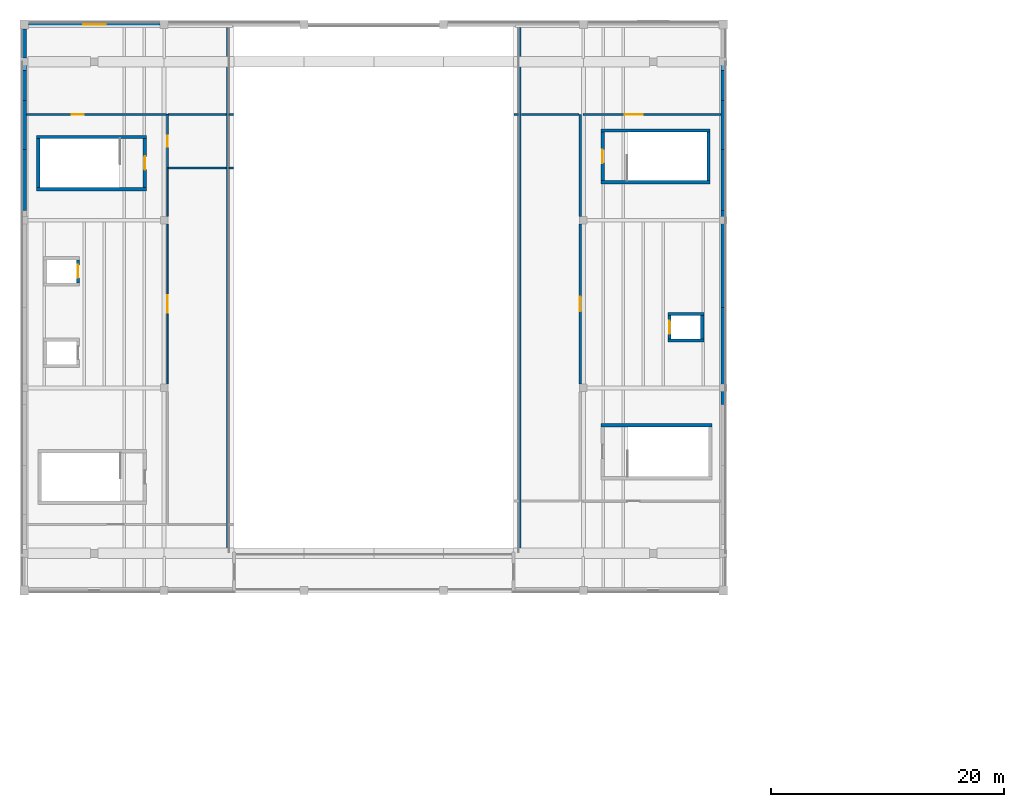
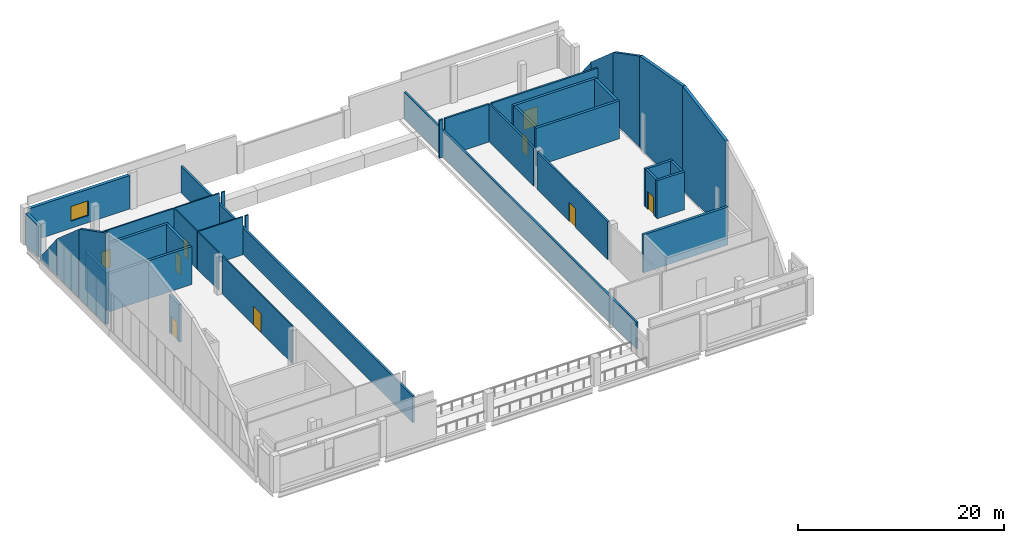
# One storey, part 4 of 7: 39 walls, 9 doors, 1 window, 10 openings.
"""IFC4 building model written with IfcOpenShell, lengths in metres."""

from ifc_helpers import new_model, si_unit, direction, frame, frame_2d, origin, place, context, subcontext, project, spatial, polyline, rectangle, outline, extrude, material, layer, layer_set, type_object, element, fill, save


model = new_model("IFC4")

# Units and contexts
model_context = context("Model", 3, precision=1e-05, world=origin(), true_north=direction((0.0, 1.0)))
body_context = subcontext(model_context, "Body", "Model", "MODEL_VIEW")
ifc_project = project(units=[si_unit("LENGTHUNIT", "METRE"), si_unit("AREAUNIT", "SQUARE_METRE"), si_unit("VOLUMEUNIT", "CUBIC_METRE"), si_unit("PLANEANGLEUNIT", "RADIAN"), si_unit("MASSUNIT", "GRAM", prefix="KILO")], contexts=[model_context])

# Site, building, storey
site_placement = place(None, origin())
site = spatial("IfcSite", under=ifc_project, at=site_placement, CompositionType="ELEMENT")
building_placement = place(site_placement, origin())
building = spatial("IfcBuilding", under=site, at=building_placement, Name="Kelmvaro Bay Concert Hall", CompositionType="ELEMENT")
storey_placement = place(building_placement, frame((0.0, 0.0, 22.199951171875)))
storey = spatial("IfcBuildingStorey", under=building, at=storey_placement, Name="L05", CompositionType="ELEMENT", Elevation=22.199951171875)

# Wall, opening, door
ifc_material_1 = material(Name="Acoustic Gypsum Board on Galvanised Steel Studs", Category="steel")
ifc_layer_1 = layer(ifc_material_1, 0.1298828125)
ifc_layer_set_1 = layer_set([ifc_layer_1], Name="Acoustic Gypsum Board on Galvanised Steel Studs")
wall_type_1 = type_object("IfcWallType", Name="Classroom Acoustic Partition 130", PredefinedType="PARTITIONING", material=ifc_layer_set_1)
wall_1_placement = place(storey_placement, frame((12.280029296875, 83.133056640625, 0.0), z_axis=(0.0, 0.0, 1.0), x_axis=(0.0, 1.0, 0.0)))
wall_1 = element("IfcWall", 1, at=wall_1_placement, inside=storey, type_object=wall_type_1, Name="L05 Interior Partition PT-L05-0359", PredefinedType="PARTITIONING", context=body_context, shape_type="SweptSolid", body=[
    extrude(rectangle(XDim=13.73388671875, YDim=0.1298828125, at=frame_2d((6.866943359375, 0.0))), origin(), (0.0, 0.0, 1.0), 4.5),
])
opening_1_placement = place(wall_1_placement, frame((6.10693359375, 0.0, 0.0)))
opening_1 = element("IfcOpeningElement", 2, at=opening_1_placement, cuts=wall_1, Name="Opening ID-ED2", PredefinedType="OPENING", context=body_context, shape_type="SweptSolid", body=[
    extrude(rectangle(XDim=1.52001953125, YDim=2.239990234375, at=frame_2d((0.760009765625, 1.1201171875))), frame((0.0, 0.074951171875, 0.0), z_axis=(0.0, -1.0, 0.0), x_axis=(1.0, 0.0, 0.0)), (0.0, 0.0, 1.0), 0.14990234375),
])
ifc_material_2 = material(Name="Oak Veneer and Acoustic Glass", Category="glass")
door_type_1 = type_object("IfcDoorType", Name="Archive Library Double Door 1520x2240", OperationType="NOTDEFINED", PredefinedType="DOOR", material=ifc_material_2)
door_1_placement = place(opening_1_placement, origin())
door_1 = element("IfcDoor", 3, at=door_1_placement, inside=storey, type_object=door_type_1, Name="L05 Interior Door DR-INT-L05-0208", OperationType="DOUBLE_DOOR_SINGLE_SWING", OverallHeight=2.239990234375, OverallWidth=1.52001953125, PredefinedType="DOOR", context=body_context, shape_type="SweptSolid", body=[
    extrude(rectangle(XDim=1.52001953125, YDim=2.239990234375, at=frame_2d((0.760009765625, 1.1201171875))), frame((0.0, 0.02490234375, 0.0), z_axis=(0.0, -1.0, 0.0), x_axis=(1.0, 0.0, 0.0)), (0.0, 0.0, 1.0), 0.050048828125),
])
fill(opening_1, door_1)

# Walls
wall_2_placement = place(storey_placement, frame((12.280029296875, 97.532958984375, 0.0), z_axis=(0.0, 0.0, 1.0), x_axis=(0.0, 1.0, 0.0)))
element("IfcWall", 4, at=wall_2_placement, inside=storey, type_object=wall_type_1, Name="L05 Interior Partition PT-L05-0360", PredefinedType="PARTITIONING", context=body_context, shape_type="SweptSolid", body=[
    extrude(rectangle(XDim=4.152099609375, YDim=0.1298828125, at=frame_2d((2.076171875, 0.0))), origin(), (0.0, 0.0, 1.0), 4.5),
])
ifc_material_3 = material(Name="Precast Concrete C40/50", Category="concrete")
ifc_layer_2 = layer(ifc_material_3, 0.219970703125)
ifc_layer_set_2 = layer_set([ifc_layer_2], Name="Precast Concrete C40/50")
wall_type_2 = type_object("IfcWallType", Name="Crown Mechanical Enclosure Wall 220", PredefinedType="SOLIDWALL", material=ifc_layer_set_2)
for number, where, z_axis, x_axis, name in (
    (5, (17.449951171875, 113.760009765625, 0.0), (0.0, 0.0, 1.0), (0.0, -1.0, 0.0), "L05 Exterior Wall EW-L05-0097"),
    (6, (42.550048828125, 68.639892578125, 0.0), (0.0, 0.0, 1.0), (0.0, 1.0, 0.0), "L05 Exterior Wall EW-L05-0098"),
):
    element("IfcWall", number, at=place(storey_placement, frame(where, z_axis=z_axis, x_axis=x_axis)), inside=storey, type_object=wall_type_2, Name=name, PredefinedType="SOLIDWALL", context=body_context, shape_type="SweptSolid", body=[
        extrude(rectangle(XDim=45.1201171875, YDim=0.219970703125, at=frame_2d((22.56005859375, 0.0))), origin(), (0.0, 0.0, 1.0), 3.150146484375),
    ])

# Wall, opening, door
ifc_material_4 = material(Name="Acoustic Gypsum Board on Galvanised Steel Studs", Category="steel")
ifc_layer_3 = layer(ifc_material_4, 0.199951171875)
ifc_layer_set_3 = layer_set([ifc_layer_3], Name="Acoustic Gypsum Board on Galvanised Steel Studs")
wall_type_3 = type_object("IfcWallType", Name="Double-Stud Acoustic Studio Partition 200", PredefinedType="PARTITIONING", material=ifc_layer_set_3)
wall_3_placement = place(storey_placement, frame((47.719970703125, 83.133056640625, 0.0), z_axis=(0.0, 0.0, 1.0), x_axis=(0.0, 1.0, 0.0)))
wall_3 = element("IfcWall", 7, at=wall_3_placement, inside=storey, type_object=wall_type_3, Name="L05 Interior Partition PT-L05-0371", PredefinedType="PARTITIONING", context=body_context, shape_type="SweptSolid", body=[
    extrude(rectangle(XDim=13.73388671875, YDim=0.199951171875, at=frame_2d((6.866943359375, 0.0))), origin(), (0.0, 0.0, 1.0), 4.5),
])
opening_2_placement = place(wall_3_placement, frame((6.22705078125, 0.0, 0.0)))
opening_2 = element("IfcOpeningElement", 8, at=opening_2_placement, cuts=wall_3, Name="Opening ID-ST3", PredefinedType="OPENING", context=body_context, shape_type="SweptSolid", body=[
    extrude(rectangle(XDim=1.280029296875, YDim=2.260009765625, at=frame_2d((0.64013671875, 1.1298828125))), frame((0.0, 0.10986328125, 0.0), z_axis=(0.0, -1.0, 0.0), x_axis=(1.0, 0.0, 0.0)), (0.0, 0.0, 1.0), 0.219970703125),
])
ifc_material_5 = material(Name="Acoustic Laminated Steel Core", Category="steel")
door_type_2 = type_object("IfcDoorType", Name="Soundtrack Studio Heavy Door 1280x2260", OperationType="NOTDEFINED", PredefinedType="DOOR", material=ifc_material_5)
door_2_placement = place(opening_2_placement, origin())
door_2 = element("IfcDoor", 9, at=door_2_placement, inside=storey, type_object=door_type_2, Name="L05 Interior Door DR-INT-L05-0212", OperationType="SINGLE_SWING_RIGHT", OverallHeight=2.260009765625, OverallWidth=1.280029296875, PredefinedType="DOOR", context=body_context, shape_type="SweptSolid", body=[
    extrude(rectangle(XDim=1.280029296875, YDim=2.260009765625, at=frame_2d((0.64013671875, 1.1298828125))), frame((0.0, 0.02490234375, 0.0), z_axis=(0.0, -1.0, 0.0), x_axis=(1.0, 0.0, 0.0)), (0.0, 0.0, 1.0), 0.050048828125),
])
fill(opening_2, door_2)

# Wall
wall_4_placement = place(storey_placement, frame((47.719970703125, 97.532958984375, 0.0), z_axis=(0.0, 0.0, 1.0), x_axis=(0.0, 1.0, 0.0)))
element("IfcWall", 10, at=wall_4_placement, inside=storey, type_object=wall_type_3, Name="L05 Interior Partition PT-L05-0372", PredefinedType="PARTITIONING", context=body_context, shape_type="SweptSolid", body=[
    extrude(rectangle(XDim=8.751953125, YDim=0.199951171875, at=frame_2d((4.3759765625, 0.0))), origin(), (0.0, 0.0, 1.0), 4.5),
])

# Wall, opening, door
wall_5_placement = place(storey_placement, frame((47.949951171875, 106.280029296875, 0.0), z_axis=(0.0, 0.0, 1.0), x_axis=(1.0, 0.0, 0.0)))
wall_5 = element("IfcWall", 11, at=wall_5_placement, inside=storey, type_object=wall_type_3, Name="L05 Interior Partition PT-L05-0373", PredefinedType="PARTITIONING", context=body_context, shape_type="SweptSolid", body=[
    extrude(rectangle(XDim=11.8701171875, YDim=0.199951171875, at=frame_2d((5.93505859375, 0.0))), origin(), (0.0, 0.0, 1.0), 4.5),
])
opening_3_placement = place(wall_5_placement, frame((3.582763671875, 0.0, 0.0)))
opening_3 = element("IfcOpeningElement", 12, at=opening_3_placement, cuts=wall_5, Name="Opening ID-PL1", PredefinedType="OPENING", context=body_context, shape_type="SweptSolid", body=[
    extrude(rectangle(XDim=1.56005859375, YDim=2.260009765625, at=frame_2d((0.780029296875, 1.1298828125))), frame((0.0, 0.10986328125, 0.0), z_axis=(0.0, -1.0, 0.0), x_axis=(1.0, 0.0, 0.0)), (0.0, 0.0, 1.0), 0.219970703125),
])
ifc_material_6 = material(Name="Insulated Galvanised Steel", Category="steel")
door_type_3 = type_object("IfcDoorType", Name="Acoustic Plant Double Louvred Door 1560x2260", OperationType="NOTDEFINED", PredefinedType="DOOR", material=ifc_material_6)
door_3_placement = place(opening_3_placement, origin())
door_3 = element("IfcDoor", 13, at=door_3_placement, inside=storey, type_object=door_type_3, Name="L05 Interior Door DR-INT-L05-0213", OperationType="DOUBLE_DOOR_SINGLE_SWING", OverallHeight=2.260009765625, OverallWidth=1.56005859375, PredefinedType="DOOR", context=body_context, shape_type="SweptSolid", body=[
    extrude(rectangle(XDim=1.56005859375, YDim=2.260009765625, at=frame_2d((0.780029296875, 1.1298828125))), frame((0.0, 0.02490234375, 0.0), z_axis=(0.0, -1.0, 0.0), x_axis=(1.0, 0.0, 0.0)), (0.0, 0.0, 1.0), 0.050048828125),
])
fill(opening_3, door_3)

# Walls
wall_6_placement = place(storey_placement, frame((42.050048828125, 106.280029296875, 0.0), z_axis=(0.0, 0.0, 1.0), x_axis=(1.0, 0.0, 0.0)))
element("IfcWall", 14, at=wall_6_placement, inside=storey, type_object=wall_type_3, Name="L05 Interior Partition PT-L05-0376", PredefinedType="PARTITIONING", context=body_context, shape_type="SweptSolid", body=[
    extrude(rectangle(XDim=0.3798828125, YDim=0.199951171875, at=frame_2d((0.18994140625, 0.0))), origin(), (0.0, 0.0, 1.0), 4.5),
])
wall_7_placement = place(storey_placement, frame((42.669921875, 106.280029296875, 0.0), z_axis=(0.0, 0.0, 1.0), x_axis=(1.0, 0.0, 0.0)))
element("IfcWall", 15, at=wall_7_placement, inside=storey, type_object=wall_type_3, Name="L05 Interior Partition PT-L05-0377", PredefinedType="PARTITIONING", context=body_context, shape_type="SweptSolid", body=[
    extrude(rectangle(XDim=4.940185546875, YDim=0.199951171875, at=frame_2d((2.47021484375, 0.0))), origin(), (0.0, 0.0, 1.0), 4.5),
])

# Wall, opening, window
ifc_material_7 = material(Name="Precast Concrete C40/50", Category="concrete")
ifc_layer_4 = layer(ifc_material_7, 0.340087890625)
ifc_layer_set_4 = layer_set([ifc_layer_4], Name="Precast Concrete C40/50")
wall_type_4 = type_object("IfcWallType", Name="Main Hall Faceted Precast Wall 340", PredefinedType="SOLIDWALL", material=ifc_layer_set_4)
wall_8_placement = place(storey_placement, frame((0.375, 114.0, 0.0), z_axis=(0.0, 0.0, 1.0), x_axis=(1.0, 0.0, 0.0)))
wall_8 = element("IfcWall", 16, at=wall_8_placement, inside=storey, type_object=wall_type_4, Name="L05 Exterior Wall EW-L05-0082", PredefinedType="SOLIDWALL", context=body_context, shape_type="SweptSolid", body=[
    extrude(rectangle(XDim=11.27490234375, YDim=0.340087890625, at=frame_2d((5.637451171875, 0.0))), origin(), (0.0, 0.0, 1.0), 3.97705078125),
])
opening_4_placement = place(wall_8_placement, frame((4.66259765625, 0.0, 0.85009765625)))
opening_4 = element("IfcOpeningElement", 17, at=opening_4_placement, cuts=wall_8, Name="Opening WN-11", PredefinedType="OPENING", context=body_context, shape_type="SweptSolid", body=[
    extrude(rectangle(XDim=1.949951171875, YDim=1.75, at=frame_2d((0.97509765625, 0.875))), frame((0.0, 0.179931640625, 0.0), z_axis=(0.0, -1.0, 0.0), x_axis=(1.0, 0.0, 0.0)), (0.0, 0.0, 1.0), 0.360107421875),
])
ifc_material_8 = material(Name="Thermally Broken Aluminium and Acoustic Low-E Glass", Category="aluminium")
window_type = type_object("IfcWindowType", Name="Administration View Window 1950x1750", PartitioningType="SINGLE_PANEL", PredefinedType="WINDOW", material=ifc_material_8)
window_placement = place(opening_4_placement, origin())
window = element("IfcWindow", 18, at=window_placement, inside=storey, type_object=window_type, Name="L05 Facade Window WN-L05-0039", OverallHeight=1.75, OverallWidth=1.949951171875, PartitioningType="SINGLE_PANEL", PredefinedType="WINDOW", context=body_context, shape_type="SweptSolid", body=[
    extrude(rectangle(XDim=1.949951171875, YDim=1.75, at=frame_2d((0.97509765625, 0.875))), frame((0.0, 0.030029296875, 0.0), z_axis=(0.0, -1.0, 0.0), x_axis=(1.0, 0.0, 0.0)), (0.0, 0.0, 1.0), 0.06005859375),
])
fill(opening_4, window)

# Walls
wall_9_placement = place(storey_placement, frame((60.0, 89.699951171875, 0.0), z_axis=(0.0, 0.0, 1.0), x_axis=(0.0, -1.0, 0.0)))
element("IfcWall", 19, at=wall_9_placement, inside=storey, type_object=wall_type_4, Name="L05 Raked Crystal Gable Wall EW-L05-0106", PredefinedType="SOLIDWALL", context=body_context, shape_type="SweptSolid", body=[
    extrude(outline(polyline([(0.0, 0.0), (8.342041015625, 0.0), (8.34228515625, 10.858642578125), (0.0, 12.35498046875), (0.0, 0.0)])), frame((0.0, 0.169921875, 0.0), z_axis=(0.0, -1.0, 0.0), x_axis=(1.0, 0.0, 0.0)), (0.0, 0.0, 1.0), 0.340087890625),
])
wall_10_placement = place(storey_placement, frame((60.0, 98.042236328125, 0.0), z_axis=(0.0, 0.0, 1.0), x_axis=(0.0, -1.0, 0.0)))
element("IfcWall", 20, at=wall_10_placement, inside=storey, type_object=wall_type_4, Name="L05 Raked Crystal Gable Wall EW-L05-0108", PredefinedType="SOLIDWALL", context=body_context, shape_type="SweptSolid", body=[
    extrude(outline(polyline([(0.0, 0.0), (8.34228515625, 0.0), (8.34228515625, 12.35498046875), (0.0, 10.858642578125), (0.0, 0.0)])), frame((0.0, 0.169921875, 0.0), z_axis=(0.0, -1.0, 0.0), x_axis=(1.0, 0.0, 0.0)), (0.0, 0.0, 1.0), 0.340087890625),
])
wall_11_placement = place(storey_placement, frame((0.0, 98.042236328125, 0.0), z_axis=(0.0, 0.0, 1.0), x_axis=(0.0, 1.0, 0.0)))
element("IfcWall", 21, at=wall_11_placement, inside=storey, type_object=wall_type_4, Name="L05 Raked Crystal Gable Wall EW-L05-0109", PredefinedType="SOLIDWALL", context=body_context, shape_type="SweptSolid", body=[
    extrude(outline(polyline([(0.0, 0.0), (5.209228515625, 0.0), (5.209228515625, 8.1630859375), (0.0, 10.858642578125), (0.0, 0.0)])), frame((0.0, 0.169921875, 0.0), z_axis=(0.0, -1.0, 0.0), x_axis=(1.0, 0.0, 0.0)), (0.0, 0.0, 1.0), 0.340087890625),
])
wall_12_placement = place(storey_placement, frame((60.0, 103.25146484375, 0.0), z_axis=(0.0, 0.0, 1.0), x_axis=(0.0, -1.0, 0.0)))
element("IfcWall", 22, at=wall_12_placement, inside=storey, type_object=wall_type_4, Name="L05 Raked Crystal Gable Wall EW-L05-0110", PredefinedType="SOLIDWALL", context=body_context, shape_type="SweptSolid", body=[
    extrude(outline(polyline([(0.0, 0.0), (5.209228515625, 0.0), (5.209228515625, 10.858642578125), (0.0, 8.1630859375), (0.0, 0.0)])), frame((0.0, 0.169921875, 0.0), z_axis=(0.0, -1.0, 0.0), x_axis=(1.0, 0.0, 0.0)), (0.0, 0.0, 1.0), 0.340087890625),
])
wall_13_placement = place(storey_placement, frame((0.0, 103.25146484375, 0.0), z_axis=(0.0, 0.0, 1.0), x_axis=(0.0, 1.0, 0.0)))
element("IfcWall", 23, at=wall_13_placement, inside=storey, type_object=wall_type_4, Name="L05 Raked Crystal Gable Wall EW-L05-0111", PredefinedType="SOLIDWALL", context=body_context, shape_type="SweptSolid", body=[
    extrude(outline(polyline([(0.0, 0.0), (4.23974609375, 0.0), (4.23974609375, 4.46337890625), (0.0, 8.1630859375), (0.0, 0.0)])), frame((0.0, 0.169921875, 0.0), z_axis=(0.0, -1.0, 0.0), x_axis=(1.0, 0.0, 0.0)), (0.0, 0.0, 1.0), 0.340087890625),
])
wall_14_placement = place(storey_placement, frame((60.0, 107.4912109375, 0.0), z_axis=(0.0, 0.0, 1.0), x_axis=(0.0, -1.0, 0.0)))
element("IfcWall", 24, at=wall_14_placement, inside=storey, type_object=wall_type_4, Name="L05 Raked Crystal Gable Wall EW-L05-0112", PredefinedType="SOLIDWALL", context=body_context, shape_type="SweptSolid", body=[
    extrude(outline(polyline([(0.0, 0.0), (4.23974609375, 0.0), (4.23974609375, 8.1630859375), (0.0, 4.46337890625), (0.0, 0.0)])), frame((0.0, 0.169921875, 0.0), z_axis=(0.0, -1.0, 0.0), x_axis=(1.0, 0.0, 0.0)), (0.0, 0.0, 1.0), 0.340087890625),
])
wall_15_placement = place(storey_placement, frame((0.0, 107.4912109375, 0.0), z_axis=(0.0, 0.0, 1.0), x_axis=(0.0, 1.0, 0.0)))
element("IfcWall", 25, at=wall_15_placement, inside=storey, type_object=wall_type_4, Name="L05 Raked Crystal Gable Wall EW-L05-0113", PredefinedType="SOLIDWALL", context=body_context, shape_type="SweptSolid", body=[
    extrude(outline(polyline([(0.0, 0.0), (3.328857421875, 0.0), (3.328857421875, 0.25), (0.0, 4.46337890625), (0.0, 0.0)])), frame((0.0, 0.169921875, 0.0), z_axis=(0.0, -1.0, 0.0), x_axis=(1.0, 0.0, 0.0)), (0.0, 0.0, 1.0), 0.340087890625),
])
wall_16_placement = place(storey_placement, frame((60.0, 110.820068359375, 0.0), z_axis=(0.0, 0.0, 1.0), x_axis=(0.0, -1.0, 0.0)))
element("IfcWall", 26, at=wall_16_placement, inside=storey, type_object=wall_type_4, Name="L05 Raked Crystal Gable Wall EW-L05-0114", PredefinedType="SOLIDWALL", context=body_context, shape_type="SweptSolid", body=[
    extrude(outline(polyline([(0.0, 0.0), (3.328857421875, 0.0), (3.328857421875, 4.46337890625), (0.0, 0.25), (0.0, 0.0)])), frame((0.0, 0.169921875, 0.0), z_axis=(0.0, -1.0, 0.0), x_axis=(1.0, 0.0, 0.0)), (0.0, 0.0, 1.0), 0.340087890625),
])

# Wall, opening, door
ifc_material_9 = material(Name="Concrete C40/50", Category="concrete")
ifc_layer_5 = layer(ifc_material_9, 0.27001953125)
ifc_layer_set_5 = layer_set([ifc_layer_5], Name="Concrete C40/50")
wall_type_5 = type_object("IfcWallType", Name="Secondary Shaft Shear Wall 270", PredefinedType="SHEAR", material=ifc_layer_set_5)
wall_17_placement = place(storey_placement, frame((4.610107421875, 91.800048828125, 0.0), z_axis=(0.0, 0.0, 1.0), x_axis=(0.0, 1.0, 0.0)))
wall_17 = element("IfcWall", 27, at=wall_17_placement, inside=storey, type_object=wall_type_5, Name="L05 LF-02 Lift Shaft Wall E", PredefinedType="SHEAR", context=body_context, shape_type="SweptSolid", body=[
    extrude(rectangle(XDim=2.0, YDim=0.27001953125, at=frame_2d((1.0, 0.0))), origin(), (0.0, 0.0, 1.0), 4.5),
])
opening_5_placement = place(wall_17_placement, frame((0.43994140625, 0.0, 0.0)))
opening_5 = element("IfcOpeningElement", 28, at=opening_5_placement, cuts=wall_17, Name="Opening LD-112", PredefinedType="OPENING", context=body_context, shape_type="SweptSolid", body=[
    extrude(rectangle(XDim=1.1201171875, YDim=2.14990234375, at=frame_2d((0.56005859375, 1.074951171875))), frame((0.0, 0.14501953125, 0.0), z_axis=(0.0, -1.0, 0.0), x_axis=(1.0, 0.0, 0.0)), (0.0, 0.0, 1.0), 0.2900390625),
])
ifc_material_10 = material(Name="Brushed Stainless Steel 316", Category="steel")
door_type_4 = type_object("IfcDoorType", Name="Passenger Lift Sliding Landing Door 1120x2150", OperationType="NOTDEFINED", PredefinedType="DOOR", material=ifc_material_10)
door_4_placement = place(opening_5_placement, origin())
door_4 = element("IfcDoor", 29, at=door_4_placement, inside=storey, type_object=door_type_4, Name="L05 Lift Landing Door LF-02", OperationType="SLIDING_TO_LEFT", OverallHeight=2.14990234375, OverallWidth=1.1201171875, PredefinedType="DOOR", context=body_context, shape_type="SweptSolid", body=[
    extrude(rectangle(XDim=1.1201171875, YDim=2.14990234375, at=frame_2d((0.56005859375, 1.074951171875))), frame((0.0, 0.02490234375, 0.0), z_axis=(0.0, -1.0, 0.0), x_axis=(1.0, 0.0, 0.0)), (0.0, 0.0, 1.0), 0.050048828125),
])
fill(opening_5, door_4)

# Walls
for number, where, z_axis, x_axis, name in (
    (30, (55.2548828125, 86.864990234375, 0.0), (0.0, 0.0, 1.0), (1.0, 0.0, 0.0), "L05 LF-03 Lift Shaft Wall S"),
    (31, (55.2548828125, 89.135009765625, 0.0), (0.0, 0.0, 1.0), (1.0, 0.0, 0.0), "L05 LF-03 Lift Shaft Wall N"),
):
    element("IfcWall", number, at=place(storey_placement, frame(where, z_axis=z_axis, x_axis=x_axis)), inside=storey, type_object=wall_type_5, Name=name, PredefinedType="SHEAR", context=body_context, shape_type="SweptSolid", body=[
        extrude(rectangle(XDim=3.090087890625, YDim=0.27001953125, at=frame_2d((1.544921875, 0.0))), origin(), (0.0, 0.0, 1.0), 4.5),
    ])

# Wall, opening, door
wall_18_placement = place(storey_placement, frame((55.389892578125, 87.0, 0.0), z_axis=(0.0, 0.0, 1.0), x_axis=(0.0, 1.0, 0.0)))
wall_18 = element("IfcWall", 32, at=wall_18_placement, inside=storey, type_object=wall_type_5, Name="L05 LF-03 Lift Shaft Wall W", PredefinedType="SHEAR", context=body_context, shape_type="SweptSolid", body=[
    extrude(rectangle(XDim=2.0, YDim=0.27001953125, at=frame_2d((1.0, 0.0))), origin(), (0.0, 0.0, 1.0), 4.5),
])
opening_6_placement = place(wall_18_placement, frame((0.43994140625, 0.0, 0.0)))
opening_6 = element("IfcOpeningElement", 33, at=opening_6_placement, cuts=wall_18, Name="Opening LD-112", PredefinedType="OPENING", context=body_context, shape_type="SweptSolid", body=[
    extrude(rectangle(XDim=1.1201171875, YDim=2.14990234375, at=frame_2d((0.56005859375, 1.074951171875))), frame((0.0, 0.14501953125, 0.0), z_axis=(0.0, -1.0, 0.0), x_axis=(1.0, 0.0, 0.0)), (0.0, 0.0, 1.0), 0.2900390625),
])
door_5_placement = place(opening_6_placement, origin())
door_5 = element("IfcDoor", 34, at=door_5_placement, inside=storey, type_object=door_type_4, Name="L05 Lift Landing Door LF-03", OperationType="SLIDING_TO_LEFT", OverallHeight=2.14990234375, OverallWidth=1.1201171875, PredefinedType="DOOR", context=body_context, shape_type="SweptSolid", body=[
    extrude(rectangle(XDim=1.1201171875, YDim=2.14990234375, at=frame_2d((0.56005859375, 1.074951171875))), frame((0.0, 0.02490234375, 0.0), z_axis=(0.0, -1.0, 0.0), x_axis=(1.0, 0.0, 0.0)), (0.0, 0.0, 1.0), 0.050048828125),
])
fill(opening_6, door_5)

# Walls
wall_19_placement = place(storey_placement, frame((58.2099609375, 87.0, 0.0), z_axis=(0.0, 0.0, 1.0), x_axis=(0.0, 1.0, 0.0)))
element("IfcWall", 35, at=wall_19_placement, inside=storey, type_object=wall_type_5, Name="L05 LF-03 Lift Shaft Wall E", PredefinedType="SHEAR", context=body_context, shape_type="SweptSolid", body=[
    extrude(rectangle(XDim=2.0, YDim=0.27001953125, at=frame_2d((1.0, 0.0))), origin(), (0.0, 0.0, 1.0), 4.5),
])
ifc_material_11 = material(Name="Concrete C40/50", Category="concrete")
ifc_layer_6 = layer(ifc_material_11, 0.2900390625)
ifc_layer_set_6 = layer_set([ifc_layer_6], Name="Concrete C40/50")
wall_type_6 = type_object("IfcWallType", Name="Stair and Lift Core Shear Wall 290", PredefinedType="SHEAR", material=ifc_layer_set_6)
for number, where, z_axis, x_axis, name in (
    (36, (49.510009765625, 100.455078125, 0.0), (0.0, 0.0, 1.0), (1.0, 0.0, 0.0), "L05 ST-02 Core Shear Wall S"),
    (37, (49.510009765625, 104.89501953125, 0.0), (0.0, 0.0, 1.0), (1.0, 0.0, 0.0), "L05 ST-02 Core Shear Wall N"),
):
    element("IfcWall", number, at=place(storey_placement, frame(where, z_axis=z_axis, x_axis=x_axis)), inside=storey, type_object=wall_type_6, Name=name, PredefinedType="SHEAR", context=body_context, shape_type="SweptSolid", body=[
        extrude(rectangle(XDim=9.3798828125, YDim=0.2900390625, at=frame_2d((4.68994140625, 0.0))), origin(), (0.0, 0.0, 1.0), 4.5),
    ])

# Wall, opening, door
wall_20_placement = place(storey_placement, frame((49.655029296875, 100.60009765625, 0.0), z_axis=(0.0, 0.0, 1.0), x_axis=(0.0, 1.0, 0.0)))
wall_20 = element("IfcWall", 38, at=wall_20_placement, inside=storey, type_object=wall_type_6, Name="L05 ST-02 Core Shear Wall W", PredefinedType="SHEAR", context=body_context, shape_type="SweptSolid", body=[
    extrude(rectangle(XDim=4.14990234375, YDim=0.2900390625, at=frame_2d((2.074951171875, 0.0))), origin(), (0.0, 0.0, 1.0), 4.5),
])
opening_7_placement = place(wall_20_placement, frame((1.5, 0.0, 0.0)))
opening_7 = element("IfcOpeningElement", 39, at=opening_7_placement, cuts=wall_20, Name="Opening ID-ST1", PredefinedType="OPENING", context=body_context, shape_type="SweptSolid", body=[
    extrude(rectangle(XDim=1.14990234375, YDim=2.14990234375, at=frame_2d((0.574951171875, 1.074951171875))), frame((0.0, 0.155029296875, 0.0), z_axis=(0.0, -1.0, 0.0), x_axis=(1.0, 0.0, 0.0)), (0.0, 0.0, 1.0), 0.31005859375),
])
ifc_material_12 = material(Name="Fire-Rated Galvanised Steel", Category="steel")
door_type_5 = type_object("IfcDoorType", Name="Exit Stair Fire Door 1150x2150", OperationType="NOTDEFINED", PredefinedType="DOOR", material=ifc_material_12)
door_6_placement = place(opening_7_placement, origin())
door_6 = element("IfcDoor", 40, at=door_6_placement, inside=storey, type_object=door_type_5, Name="L05 ST-02 Stair Fire Door", OperationType="SINGLE_SWING_LEFT", OverallHeight=2.14990234375, OverallWidth=1.14990234375, PredefinedType="DOOR", context=body_context, shape_type="SweptSolid", body=[
    extrude(rectangle(XDim=1.14990234375, YDim=2.14990234375, at=frame_2d((0.574951171875, 1.074951171875))), frame((0.0, 0.02490234375, 0.0), z_axis=(0.0, -1.0, 0.0), x_axis=(1.0, 0.0, 0.0)), (0.0, 0.0, 1.0), 0.050048828125),
])
fill(opening_7, door_6)

# Walls
wall_21_placement = place(storey_placement, frame((58.7451171875, 100.60009765625, 0.0), z_axis=(0.0, 0.0, 1.0), x_axis=(0.0, 1.0, 0.0)))
element("IfcWall", 41, at=wall_21_placement, inside=storey, type_object=wall_type_6, Name="L05 ST-02 Core Shear Wall E", PredefinedType="SHEAR", context=body_context, shape_type="SweptSolid", body=[
    extrude(rectangle(XDim=4.14990234375, YDim=0.2900390625, at=frame_2d((2.074951171875, 0.0))), origin(), (0.0, 0.0, 1.0), 4.5),
])
for number, where, z_axis, x_axis, name in (
    (42, (1.06005859375, 99.864990234375, 0.0), (0.0, 0.0, 1.0), (1.0, 0.0, 0.0), "L05 ST-03 Core Shear Wall S"),
    (43, (1.06005859375, 104.344970703125, 0.0), (0.0, 0.0, 1.0), (1.0, 0.0, 0.0), "L05 ST-03 Core Shear Wall N"),
):
    element("IfcWall", number, at=place(storey_placement, frame(where, z_axis=z_axis, x_axis=x_axis)), inside=storey, type_object=wall_type_6, Name=name, PredefinedType="SHEAR", context=body_context, shape_type="SweptSolid", body=[
        extrude(rectangle(XDim=9.429931640625, YDim=0.2900390625, at=frame_2d((4.71484375, 0.0))), origin(), (0.0, 0.0, 1.0), 4.5),
    ])
wall_22_placement = place(storey_placement, frame((1.205078125, 100.010009765625, 0.0), z_axis=(0.0, 0.0, 1.0), x_axis=(0.0, 1.0, 0.0)))
element("IfcWall", 44, at=wall_22_placement, inside=storey, type_object=wall_type_6, Name="L05 ST-03 Core Shear Wall W", PredefinedType="SHEAR", context=body_context, shape_type="SweptSolid", body=[
    extrude(rectangle(XDim=4.18994140625, YDim=0.2900390625, at=frame_2d((2.094970703125, 0.0))), origin(), (0.0, 0.0, 1.0), 4.5),
])

# Wall, opening, door
wall_23_placement = place(storey_placement, frame((10.344970703125, 100.010009765625, 0.0), z_axis=(0.0, 0.0, 1.0), x_axis=(0.0, 1.0, 0.0)))
wall_23 = element("IfcWall", 45, at=wall_23_placement, inside=storey, type_object=wall_type_6, Name="L05 ST-03 Core Shear Wall E", PredefinedType="SHEAR", context=body_context, shape_type="SweptSolid", body=[
    extrude(rectangle(XDim=4.18994140625, YDim=0.2900390625, at=frame_2d((2.094970703125, 0.0))), origin(), (0.0, 0.0, 1.0), 4.5),
])
opening_8_placement = place(wall_23_placement, frame((1.52001953125, 0.0, 0.0)))
opening_8 = element("IfcOpeningElement", 46, at=opening_8_placement, cuts=wall_23, Name="Opening ID-ST1", PredefinedType="OPENING", context=body_context, shape_type="SweptSolid", body=[
    extrude(rectangle(XDim=1.14990234375, YDim=2.14990234375, at=frame_2d((0.574951171875, 1.074951171875))), frame((0.0, 0.155029296875, 0.0), z_axis=(0.0, -1.0, 0.0), x_axis=(1.0, 0.0, 0.0)), (0.0, 0.0, 1.0), 0.31005859375),
])
door_7_placement = place(opening_8_placement, origin())
door_7 = element("IfcDoor", 47, at=door_7_placement, inside=storey, type_object=door_type_5, Name="L05 ST-03 Stair Fire Door", OperationType="SINGLE_SWING_LEFT", OverallHeight=2.14990234375, OverallWidth=1.14990234375, PredefinedType="DOOR", context=body_context, shape_type="SweptSolid", body=[
    extrude(rectangle(XDim=1.14990234375, YDim=2.14990234375, at=frame_2d((0.574951171875, 1.074951171875))), frame((0.0, 0.02490234375, 0.0), z_axis=(0.0, -1.0, 0.0), x_axis=(1.0, 0.0, 0.0)), (0.0, 0.0, 1.0), 0.050048828125),
])
fill(opening_8, door_7)

# Walls
wall_24_placement = place(storey_placement, frame((49.510009765625, 79.594970703125, 0.0), z_axis=(0.0, 0.0, 1.0), x_axis=(1.0, 0.0, 0.0)))
element("IfcWall", 48, at=wall_24_placement, inside=storey, type_object=wall_type_6, Name="L05 ST-04 Core Shear Wall N", PredefinedType="SHEAR", context=body_context, shape_type="SweptSolid", body=[
    extrude(rectangle(XDim=9.530029296875, YDim=0.2900390625, at=frame_2d((4.76513671875, 0.0))), origin(), (0.0, 0.0, 1.0), 4.5),
])
ifc_material_13 = material(Name="Precast Concrete C40/50", Category="concrete")
ifc_layer_7 = layer(ifc_material_13, 0.360107421875)
ifc_layer_set_7 = layer_set([ifc_layer_7], Name="Precast Concrete C40/50")
wall_type_7 = type_object("IfcWallType", Name="Travertine Acoustic Precast Wall 360", PredefinedType="SOLIDWALL", material=ifc_layer_set_7)
wall_25_placement = place(storey_placement, frame((0.0, 111.14501953125, 0.0), z_axis=(0.0, 0.0, 1.0), x_axis=(0.0, 1.0, 0.0)))
element("IfcWall", 49, at=wall_25_placement, inside=storey, type_object=wall_type_7, Name="L05 Exterior Wall EW-L05-0093", PredefinedType="SOLIDWALL", context=body_context, shape_type="SweptSolid", body=[
    extrude(rectangle(XDim=2.47998046875, YDim=0.360107421875, at=frame_2d((1.239990234375, 0.0))), origin(), (0.0, 0.0, 1.0), 3.738037109375),
])

# Wall, opening, door
ifc_material_14 = material(Name="Acoustic Gypsum Board on Galvanised Steel Studs", Category="steel")
ifc_layer_8 = layer(ifc_material_14, 0.14990234375)
ifc_layer_set_8 = layer_set([ifc_layer_8], Name="Acoustic Gypsum Board on Galvanised Steel Studs")
wall_type_8 = type_object("IfcWallType", Name="Wet Area Moisture-Resistant Partition 150", PredefinedType="PARTITIONING", material=ifc_layer_set_8)
wall_26_placement = place(storey_placement, frame((12.280029296875, 101.675048828125, 0.0), z_axis=(0.0, 0.0, 1.0), x_axis=(0.0, 1.0, 0.0)))
wall_26 = element("IfcWall", 50, at=wall_26_placement, inside=storey, type_object=wall_type_8, Name="L05 Interior Partition PT-L05-0361", PredefinedType="PARTITIONING", context=body_context, shape_type="SweptSolid", body=[
    extrude(rectangle(XDim=4.60986328125, YDim=0.14990234375, at=frame_2d((2.304931640625, 0.0))), origin(), (0.0, 0.0, 1.0), 4.5),
])
opening_9_placement = place(wall_26_placement, frame((1.8349609375, 0.0, 0.0)))
opening_9 = element("IfcOpeningElement", 51, at=opening_9_placement, cuts=wall_26, Name="Opening ID-WC1", PredefinedType="OPENING", context=body_context, shape_type="SweptSolid", body=[
    extrude(rectangle(XDim=0.93994140625, YDim=2.10009765625, at=frame_2d((0.469970703125, 1.050048828125))), frame((0.0, 0.0849609375, 0.0), z_axis=(0.0, -1.0, 0.0), x_axis=(1.0, 0.0, 0.0)), (0.0, 0.0, 1.0), 0.169921875),
])
ifc_material_15 = material(Name="High-Pressure Laminate Core")
door_type_6 = type_object("IfcDoorType", Name="Accessible Restroom Door 940x2100", OperationType="NOTDEFINED", PredefinedType="DOOR", material=ifc_material_15)
door_8_placement = place(opening_9_placement, origin())
door_8 = element("IfcDoor", 52, at=door_8_placement, inside=storey, type_object=door_type_6, Name="L05 Interior Door DR-INT-L05-0209", OperationType="SINGLE_SWING_LEFT", OverallHeight=2.10009765625, OverallWidth=0.93994140625, PredefinedType="DOOR", context=body_context, shape_type="SweptSolid", body=[
    extrude(rectangle(XDim=0.93994140625, YDim=2.10009765625, at=frame_2d((0.469970703125, 1.050048828125))), frame((0.0, 0.02490234375, 0.0), z_axis=(0.0, -1.0, 0.0), x_axis=(1.0, 0.0, 0.0)), (0.0, 0.0, 1.0), 0.050048828125),
])
fill(opening_9, door_8)

wall_27_placement = place(storey_placement, frame((0.179931640625, 106.280029296875, 0.0), z_axis=(0.0, 0.0, 1.0), x_axis=(1.0, 0.0, 0.0)))
wall_27 = element("IfcWall", 53, at=wall_27_placement, inside=storey, type_object=wall_type_8, Name="L05 Interior Partition PT-L05-0362", PredefinedType="PARTITIONING", context=body_context, shape_type="SweptSolid", body=[
    extrude(rectangle(XDim=12.01513671875, YDim=0.14990234375, at=frame_2d((6.007568359375, 0.0))), origin(), (0.0, 0.0, 1.0), 4.5),
])
opening_10_placement = place(wall_27_placement, frame((3.909912109375, 0.0, 0.0)))
opening_10 = element("IfcOpeningElement", 54, at=opening_10_placement, cuts=wall_27, Name="Opening ID-WC2", PredefinedType="OPENING", context=body_context, shape_type="SweptSolid", body=[
    extrude(rectangle(XDim=1.010009765625, YDim=2.10009765625, at=frame_2d((0.5048828125, 1.050048828125))), frame((0.0, 0.0849609375, 0.0), z_axis=(0.0, -1.0, 0.0), x_axis=(1.0, 0.0, 0.0)), (0.0, 0.0, 1.0), 0.169921875),
])
ifc_material_16 = material(Name="High-Pressure Laminate Core")
door_type_7 = type_object("IfcDoorType", Name="Public Restroom Vestibule Door 1010x2100", OperationType="NOTDEFINED", PredefinedType="DOOR", material=ifc_material_16)
door_9_placement = place(opening_10_placement, origin())
door_9 = element("IfcDoor", 55, at=door_9_placement, inside=storey, type_object=door_type_7, Name="L05 Interior Door DR-INT-L05-0210", OperationType="SINGLE_SWING_RIGHT", OverallHeight=2.10009765625, OverallWidth=1.010009765625, PredefinedType="DOOR", context=body_context, shape_type="SweptSolid", body=[
    extrude(rectangle(XDim=1.010009765625, YDim=2.10009765625, at=frame_2d((0.5048828125, 1.050048828125))), frame((0.0, 0.02490234375, 0.0), z_axis=(0.0, -1.0, 0.0), x_axis=(1.0, 0.0, 0.0)), (0.0, 0.0, 1.0), 0.050048828125),
])
fill(opening_10, door_9)

# Walls
wall_28_placement = place(storey_placement, frame((12.364990234375, 101.679931640625, 0.0), z_axis=(0.0, 0.0, 1.0), x_axis=(1.0, 0.0, 0.0)))
element("IfcWall", 56, at=wall_28_placement, inside=storey, type_object=wall_type_8, Name="L05 Interior Partition PT-L05-0365", PredefinedType="PARTITIONING", context=body_context, shape_type="SweptSolid", body=[
    extrude(rectangle(XDim=4.965087890625, YDim=0.14990234375, at=frame_2d((2.482421875, 0.0))), origin(), (0.0, 0.0, 1.0), 4.5),
])
wall_29_placement = place(storey_placement, frame((17.570068359375, 101.679931640625, 0.0), z_axis=(0.0, 0.0, 1.0), x_axis=(1.0, 0.0, 0.0)))
element("IfcWall", 57, at=wall_29_placement, inside=storey, type_object=wall_type_8, Name="L05 Interior Partition PT-L05-0366", PredefinedType="PARTITIONING", context=body_context, shape_type="SweptSolid", body=[
    extrude(rectangle(XDim=0.3798828125, YDim=0.14990234375, at=frame_2d((0.18994140625, 0.0))), origin(), (0.0, 0.0, 1.0), 4.5),
])
wall_30_placement = place(storey_placement, frame((12.364990234375, 106.280029296875, 0.0), z_axis=(0.0, 0.0, 1.0), x_axis=(1.0, 0.0, 0.0)))
element("IfcWall", 58, at=wall_30_placement, inside=storey, type_object=wall_type_8, Name="L05 Interior Partition PT-L05-0367", PredefinedType="PARTITIONING", context=body_context, shape_type="SweptSolid", body=[
    extrude(rectangle(XDim=4.965087890625, YDim=0.14990234375, at=frame_2d((2.482421875, 0.0))), origin(), (0.0, 0.0, 1.0), 4.5),
])
wall_31_placement = place(storey_placement, frame((17.570068359375, 106.280029296875, 0.0), z_axis=(0.0, 0.0, 1.0), x_axis=(1.0, 0.0, 0.0)))
element("IfcWall", 59, at=wall_31_placement, inside=storey, type_object=wall_type_8, Name="L05 Interior Partition PT-L05-0368", PredefinedType="PARTITIONING", context=body_context, shape_type="SweptSolid", body=[
    extrude(rectangle(XDim=0.3798828125, YDim=0.14990234375, at=frame_2d((0.18994140625, 0.0))), origin(), (0.0, 0.0, 1.0), 4.5),
])

save(model, "model.ifc")
